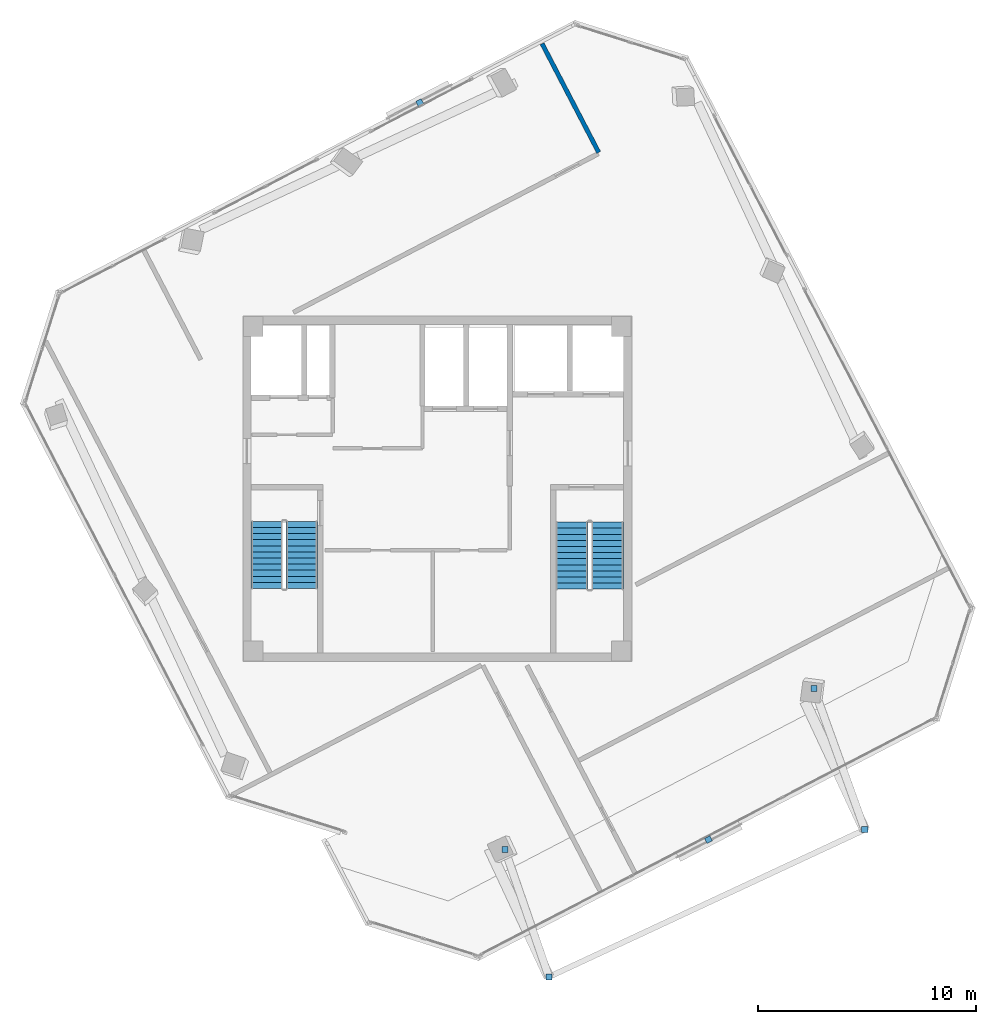
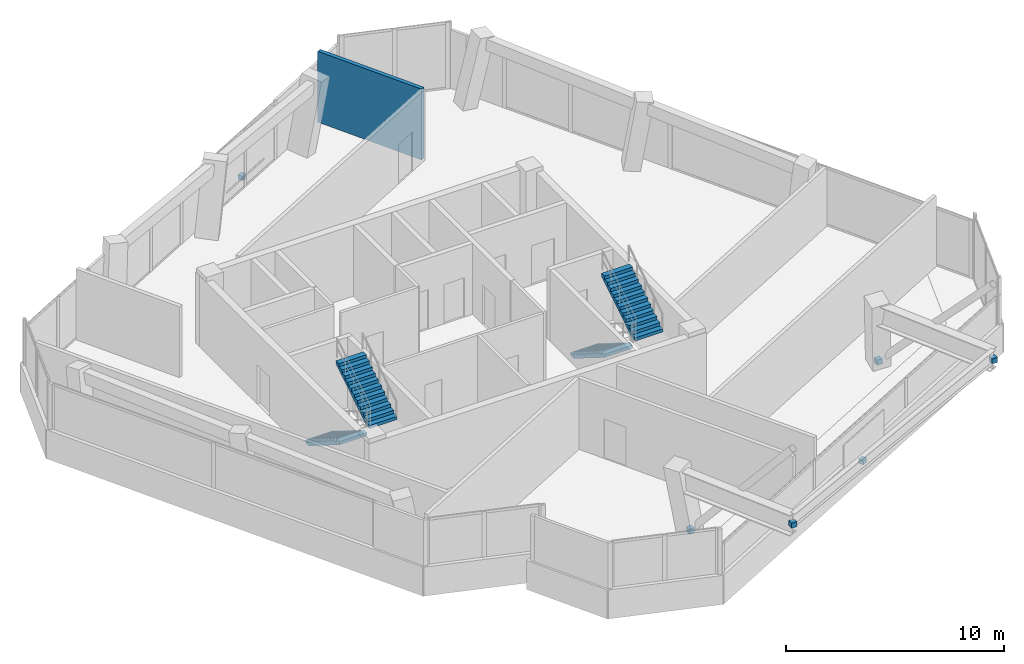
# One storey, part 13 of 16: 6 discrete accessories, 4 stair flights, 1 wall, 2 elements without a shape of their own.
"""IFC4 building model written with IfcOpenShell, lengths in metres."""

from ifc_helpers import new_model, si_unit, direction, frame, frame_2d, origin, origin_2d, place, context, subcontext, project, spatial, polyline, rectangle, outline, extrude, source, transform, mapped, material, layer, layer_set, type_object, element, aggregate, save


model = new_model("IFC4")

# Units and contexts
model_context = context("Model", 3, precision=1e-05, world=origin(), true_north=direction((0.0, 1.0)))
body_context = subcontext(model_context, "Body", "Model", "MODEL_VIEW")
ifc_project = project(units=[si_unit("LENGTHUNIT", "METRE"), si_unit("AREAUNIT", "SQUARE_METRE"), si_unit("VOLUMEUNIT", "CUBIC_METRE"), si_unit("PLANEANGLEUNIT", "RADIAN"), si_unit("MASSUNIT", "GRAM", prefix="KILO")], contexts=[model_context])

# Site, building, storey
site_placement = place(None, origin())
site = spatial("IfcSite", under=ifc_project, at=site_placement, CompositionType="ELEMENT")
building_placement = place(site_placement, origin())
building = spatial("IfcBuilding", under=site, at=building_placement, Name="Torre Montelarca", CompositionType="ELEMENT")
storey_placement = place(building_placement, frame((0.0, 0.0, 336.60009765625)))
storey = spatial("IfcBuildingStorey", under=building, at=storey_placement, Name="L76", CompositionType="ELEMENT", Elevation=336.60009765625)

# Wall
ifc_material_1 = material(Name="Gypsum fireboard and rockwool on steel stud", Category="steel")
ifc_layer = layer(ifc_material_1, 0.199951171875, Name="Gypsum fireboard and rockwool on steel stud", Category="steel")
ifc_layer_set = layer_set([ifc_layer], Name="Gypsum fireboard and rockwool on steel stud")
wall_type = type_object("IfcWallType", Name="PW-FIRE-200", PredefinedType="SOLIDWALL", material=ifc_layer_set)
wall_placement = place(storey_placement, frame((22.8125, 52.434814453125, 0.0), z_axis=(0.0, 0.0, 1.0), x_axis=(0.461759584335, -0.887005121899, 0.0)))
element("IfcWall", 1, at=wall_placement, inside=storey, type_object=wall_type, Name="L76 Interior Partition W-L76-ELECN", PredefinedType="SOLIDWALL", context=body_context, shape_type="SweptSolid", body=[
    extrude(rectangle(XDim=5.6298828125, YDim=0.199951171875, at=frame_2d((2.81494140625, 0.0))), origin(), (0.0, 0.0, 1.0), 3.9599609375),
])

# Stair, stair flights
ifc_material_2 = material(Name="Concrete C40/50", Category="concrete")
stair_type_1 = type_object("IfcStairType", Name="ST-CORE-ST1", PredefinedType="HALF_TURN_STAIR", material=ifc_material_2)
stair_1_placement = place(storey_placement, origin())
stair_1 = element("IfcStair", 2, at=stair_1_placement, inside=storey, type_object=stair_type_1, Name="L76 Protected Exit Stair ST1", PredefinedType="HALF_TURN_STAIR")
stair_flight_type_1 = type_object("IfcStairFlightType", Name="SFL-CORE-ST1", PredefinedType="STRAIGHT", material=ifc_material_2)
stair_flight_1_placement = place(storey_placement, frame((10.175048828125, 30.5, 0.0), z_axis=(0.0, 0.0, 1.0), x_axis=(0.0, -1.0, 0.0)))
stair_flight_1 = element("IfcStairFlight", 3, at=stair_flight_1_placement, type_object=stair_flight_type_1, Name="ST1 flight 1", NumberOfRisers=12, NumberOfTreads=11, PredefinedType="STRAIGHT", RiserHeight=0.175, TreadLength=0.28, context=body_context, shape_type="SweptSolid", body=[
    extrude(outline(polyline([(0.0, 0.0), (0.0, 0.175048828125), (0.280029296875, 0.175048828125), (0.280029296875, 0.35009765625), (0.56005859375, 0.35009765625), (0.56005859375, 0.52490234375), (0.840087890625, 0.52490234375), (0.840087890625, 0.699951171875), (1.1201171875, 0.699951171875), (1.1201171875, 0.875), (1.39990234375, 0.875), (1.39990234375, 1.050048828125), (1.679931640625, 1.050048828125), (1.679931640625, 1.22509765625), (1.9599609375, 1.22509765625), (1.9599609375, 1.39990234375), (2.239990234375, 1.39990234375), (2.239990234375, 1.574951171875), (2.52001953125, 1.574951171875), (2.52001953125, 1.75), (2.800048828125, 1.75), (2.800048828125, 1.925048828125), (3.080078125, 1.925048828125), (3.080078125, 2.10009765625), (3.080078125, 1.748291015625), (0.28271484375, 0.0), (0.0, 0.0)])), frame((0.0, 0.72509765625, 0.0), z_axis=(0.0, -1.0, 0.0), x_axis=(1.0, 0.0, 0.0)), (0.0, 0.0, 1.0), 1.449951171875),
])
stair_flight_2_placement = place(storey_placement, frame((11.77490234375, 27.419921875, 2.099853515625), z_axis=(0.0, 0.0, 1.0), x_axis=(0.0, 1.0, 0.0)))
stair_flight_2 = element("IfcStairFlight", 4, at=stair_flight_2_placement, type_object=stair_flight_type_1, Name="ST1 flight 2", NumberOfRisers=12, NumberOfTreads=11, PredefinedType="STRAIGHT", RiserHeight=0.175, TreadLength=0.28, context=body_context, shape_type="SweptSolid", body=[
    extrude(outline(polyline([(0.0, 0.0), (0.0, 0.175048828125), (0.280029296875, 0.175048828125), (0.280029296875, 0.35009765625), (0.56005859375, 0.35009765625), (0.56005859375, 0.52490234375), (0.840087890625, 0.52490234375), (0.840087890625, 0.699951171875), (1.1201171875, 0.699951171875), (1.1201171875, 0.875), (1.39990234375, 0.875), (1.39990234375, 1.050048828125), (1.679931640625, 1.050048828125), (1.679931640625, 1.22509765625), (1.9599609375, 1.22509765625), (1.9599609375, 1.39990234375), (2.239990234375, 1.39990234375), (2.239990234375, 1.574951171875), (2.52001953125, 1.574951171875), (2.52001953125, 1.75), (2.800048828125, 1.75), (2.800048828125, 1.925048828125), (3.080078125, 1.925048828125), (3.080078125, 2.10009765625), (3.080078125, 1.748291015625), (0.28271484375, 0.0), (0.0, 0.0)])), frame((0.0, 0.72509765625, 0.0), z_axis=(0.0, -1.0, 0.0), x_axis=(1.0, 0.0, 0.0)), (0.0, 0.0, 1.0), 1.449951171875),
])
aggregate(stair_1, [stair_flight_1, stair_flight_2])

stair_type_2 = type_object("IfcStairType", Name="ST-CORE-ST2", PredefinedType="HALF_TURN_STAIR", material=ifc_material_2)
stair_2_placement = place(storey_placement, origin())
stair_2 = element("IfcStair", 5, at=stair_2_placement, inside=storey, type_object=stair_type_2, Name="L76 Protected Exit Stair ST2", PredefinedType="HALF_TURN_STAIR")
stair_flight_type_2 = type_object("IfcStairFlightType", Name="SFL-CORE-ST2", PredefinedType="STRAIGHT", material=ifc_material_2)
stair_flight_3_placement = place(storey_placement, frame((24.179931640625, 30.469970703125, 0.0), z_axis=(0.0, 0.0, 1.0), x_axis=(0.0, -1.0, 0.0)))
stair_flight_3 = element("IfcStairFlight", 6, at=stair_flight_3_placement, type_object=stair_flight_type_2, Name="ST2 flight 1", NumberOfRisers=12, NumberOfTreads=11, PredefinedType="STRAIGHT", RiserHeight=0.175, TreadLength=0.28, context=body_context, shape_type="SweptSolid", body=[
    extrude(outline(polyline([(0.0, 0.0), (0.0, 0.175048828125), (0.280029296875, 0.175048828125), (0.280029296875, 0.35009765625), (0.56005859375, 0.35009765625), (0.56005859375, 0.52490234375), (0.840087890625, 0.52490234375), (0.840087890625, 0.699951171875), (1.1201171875, 0.699951171875), (1.1201171875, 0.875), (1.39990234375, 0.875), (1.39990234375, 1.050048828125), (1.679931640625, 1.050048828125), (1.679931640625, 1.22509765625), (1.9599609375, 1.22509765625), (1.9599609375, 1.39990234375), (2.239990234375, 1.39990234375), (2.239990234375, 1.574951171875), (2.52001953125, 1.574951171875), (2.52001953125, 1.75), (2.800048828125, 1.75), (2.800048828125, 1.925048828125), (3.080078125, 1.925048828125), (3.080078125, 2.10009765625), (3.080078125, 1.748291015625), (0.28271484375, 0.0), (0.0, 0.0)])), frame((0.0, 0.739990234375, 0.0), z_axis=(0.0, -1.0, 0.0), x_axis=(1.0, 0.0, 0.0)), (0.0, 0.0, 1.0), 1.47998046875),
])
stair_flight_4_placement = place(storey_placement, frame((25.81005859375, 27.389892578125, 2.099853515625), z_axis=(0.0, 0.0, 1.0), x_axis=(0.0, 1.0, 0.0)))
stair_flight_4 = element("IfcStairFlight", 7, at=stair_flight_4_placement, type_object=stair_flight_type_2, Name="ST2 flight 2", NumberOfRisers=12, NumberOfTreads=11, PredefinedType="STRAIGHT", RiserHeight=0.175, TreadLength=0.28, context=body_context, shape_type="SweptSolid", body=[
    extrude(outline(polyline([(0.0, 0.0), (0.0, 0.175048828125), (0.280029296875, 0.175048828125), (0.280029296875, 0.35009765625), (0.56005859375, 0.35009765625), (0.56005859375, 0.52490234375), (0.840087890625, 0.52490234375), (0.840087890625, 0.699951171875), (1.1201171875, 0.699951171875), (1.1201171875, 0.875), (1.39990234375, 0.875), (1.39990234375, 1.050048828125), (1.679931640625, 1.050048828125), (1.679931640625, 1.22509765625), (1.9599609375, 1.22509765625), (1.9599609375, 1.39990234375), (2.239990234375, 1.39990234375), (2.239990234375, 1.574951171875), (2.52001953125, 1.574951171875), (2.52001953125, 1.75), (2.800048828125, 1.75), (2.800048828125, 1.925048828125), (3.080078125, 1.925048828125), (3.080078125, 2.10009765625), (3.080078125, 1.748291015625), (0.28271484375, 0.0), (0.0, 0.0)])), frame((0.0, 0.739990234375, 0.0), z_axis=(0.0, -1.0, 0.0), x_axis=(1.0, 0.0, 0.0)), (0.0, 0.0, 1.0), 1.47998046875),
])
aggregate(stair_2, [stair_flight_3, stair_flight_4])

# Discrete accessories
ifc_material_3 = material(Name="Stainless steel AISI 316", Category="steel")
discrete_accessory_type = type_object("IfcDiscreteAccessoryType", Name="ACC-BRACKET-SS", PredefinedType="BRACKET", material=ifc_material_3)
shared_shape_1 = source(origin(), body_context, "Body", "SweptSolid", [
    extrude(rectangle(XDim=0.280029296875, YDim=0.280029296875, at=origin_2d()), origin(), (0.0, 0.0, 1.0), 0.280029296875),
])
for number, where, z_axis, x_axis, name in (
    (8, (23.12451171875, 9.586669921875, 3.2451171875), (0.0, 0.0, 1.0), (1.0, 0.0, 0.0), "L77 Raker End Connection Bracket SKYLNG-E1-HD"),
    (9, (37.62548828125, 16.348388671875, 3.2451171875), (0.0, 0.0, 1.0), (1.0, 0.0, 0.0), "L77 Raker End Connection Bracket SKYLNG-E2-HD"),
    (10, (21.099365234375, 15.4443359375, 0.06005859375), (0.0, 0.0, 1.0), (1.0, 0.0, 0.0), "L77 Sky-Lounge Strut End Connection 24-B2"),
    (11, (35.29150390625, 22.832275390625, 0.06005859375), (0.0, 0.0, 1.0), (1.0, 0.0, 0.0), "L77 Sky-Lounge Strut End Connection 40-B2"),
):
    element("IfcDiscreteAccessory", number, at=place(storey_placement, frame(where, z_axis=z_axis, x_axis=x_axis)), inside=storey, type_object=discrete_accessory_type, Name=name, PredefinedType="BRACKET", context=body_context, shape_type="MappedRepresentation", body=[
        mapped(shared_shape_1, transform((0.0, 0.0, 0.0), scale=1.0)),
    ])
shared_shape_2 = source(origin(), body_context, "Body", "SweptSolid", [
    extrude(rectangle(XDim=0.280029296875, YDim=0.260009765625, at=origin_2d()), origin(), (0.0, 0.0, 1.0), 0.239990234375),
])
for number, where, z_axis, x_axis, name in (
    (12, (30.448974609375, 15.89208984375, 0.39990234375), (0.0, 0.0, 1.0), (0.887010833178, 0.461748613235, 0.0), "L76 Solar Screen Support Bracket E6-1"),
    (13, (17.19189453125, 49.734619140625, 0.39990234375), (0.0, 0.0, 1.0), (-0.887010027274, -0.46175016136, 0.0), "L76 Solar Screen Support Bracket E10-1"),
):
    element("IfcDiscreteAccessory", number, at=place(storey_placement, frame(where, z_axis=z_axis, x_axis=x_axis)), inside=storey, type_object=discrete_accessory_type, Name=name, PredefinedType="BRACKET", context=body_context, shape_type="MappedRepresentation", body=[
        mapped(shared_shape_2, transform((0.0, 0.0, 0.0), scale=1.0)),
    ])

save(model, "model.ifc")
